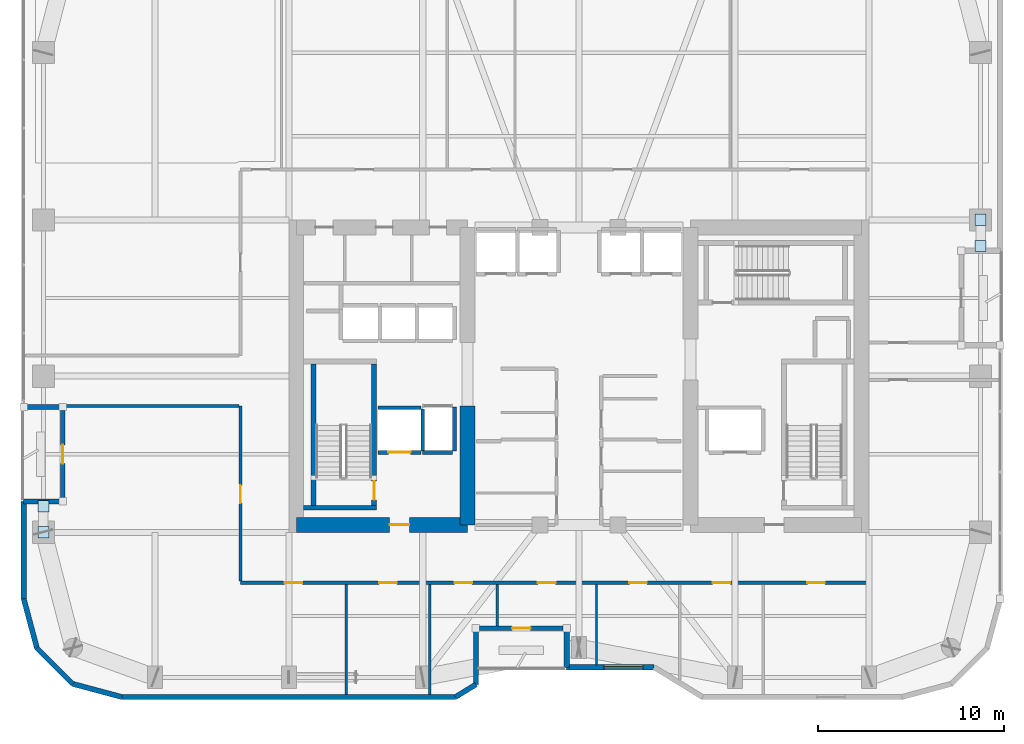
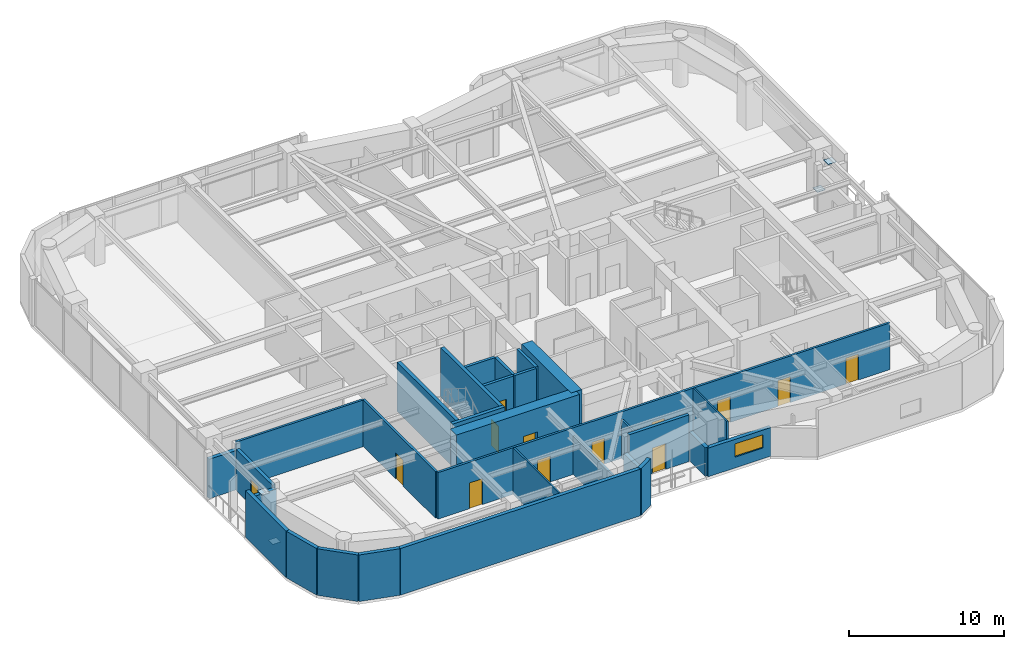
# One storey, part 24 of 30: 30 walls, 13 doors, 4 plates, 1 window, 14 openings.
"""IFC4 building model written with IfcOpenShell, lengths in metres."""

from ifc_helpers import new_model, si_unit, direction, frame, frame_2d, origin, origin_2d, place, context, subcontext, project, spatial, rectangle, extrude, material, layer, layer_set, type_object, element, fill, save


model = new_model("IFC4")

# Units and contexts
model_context = context("Model", 3, precision=1e-05, world=origin(), true_north=direction((0.0, 1.0)))
body_context = subcontext(model_context, "Body", "Model", "MODEL_VIEW")
ifc_project = project(units=[si_unit("LENGTHUNIT", "METRE"), si_unit("AREAUNIT", "SQUARE_METRE"), si_unit("VOLUMEUNIT", "CUBIC_METRE"), si_unit("PLANEANGLEUNIT", "RADIAN"), si_unit("MASSUNIT", "GRAM", prefix="KILO")], contexts=[model_context])

# Site, building, storey
site_placement = place(None, origin())
site = spatial("IfcSite", under=ifc_project, at=site_placement, CompositionType="ELEMENT")
building_placement = place(site_placement, origin())
building = spatial("IfcBuilding", under=site, at=building_placement, Name="Kiyonajd Concourse Tower", CompositionType="ELEMENT")
storey_placement = place(building_placement, frame((0.0, 0.0, 166.199951171875)))
storey = spatial("IfcBuildingStorey", under=building, at=storey_placement, Name="L42", CompositionType="ELEMENT", Elevation=166.199951171875)

# Plates
ifc_material_1 = material(Name="Steel ASTM A572 Grade 50", Category="steel")
ifc_layer_1 = layer(ifc_material_1, 0.028076171875)
ifc_layer_set_1 = layer_set([ifc_layer_1], Name="Steel ASTM A572 Grade 50")
plate_type = type_object("IfcPlateType", Name="PL-CAP-450", PredefinedType="USERDEFINED", material=ifc_layer_set_1)
for number, where, z_axis, x_axis, name in (
    (1, (19.199951171875, 27.595458984375, 0.27587890625), (0.0, 0.0, 1.0), (1.0, 0.0, 0.0), "L42 Hollow Brace End Cap Plate PBW"),
    (2, (19.199951171875, 29.004638671875, 3.326171875), (0.0, 0.0, 1.0), (1.0, 0.0, 0.0), "L42 Hollow Brace Top Cap Plate PBW"),
    (3, (69.60009765625, 44.404541015625, 0.27587890625), (0.0, 0.0, 1.0), (1.0, 0.0, 0.0), "L42 Hollow Brace End Cap Plate PBE"),
    (4, (69.60009765625, 42.995361328125, 3.326171875), (0.0, 0.0, 1.0), (1.0, 0.0, 0.0), "L42 Hollow Brace Top Cap Plate PBE"),
):
    element("IfcPlate", number, at=place(storey_placement, frame(where, z_axis=z_axis, x_axis=x_axis)), inside=storey, type_object=plate_type, Name=name, ObjectType="CAP PLATE", PredefinedType="USERDEFINED", context=body_context, shape_type="SweptSolid", body=[
        extrude(rectangle(XDim=0.60791015625, YDim=0.60791015625, at=origin_2d()), origin(), (0.0, 0.0, 1.0), 0.028076171875),
    ])

# Wall
ifc_material_2 = material(Name="Concrete C70/85", Category="concrete")
ifc_layer_2 = layer(ifc_material_2, 0.800048828125)
ifc_layer_set_2 = layer_set([ifc_layer_2], Name="Concrete C70/85")
wall_type_1 = type_object("IfcWallType", Name="WL-CORE-800", PredefinedType="SHEAR", material=ifc_layer_set_2)
wall_1_placement = place(storey_placement, frame((42.0, 28.0, 0.0), z_axis=(0.0, 0.0, 1.0), x_axis=(0.0, 1.0, 0.0)))
element("IfcWall", 5, at=wall_1_placement, inside=storey, type_object=wall_type_1, Name="L42 West Core Inner South Shear Wall", PredefinedType="SHEAR", context=body_context, shape_type="SweptSolid", body=[
    extrude(rectangle(XDim=6.39990234375, YDim=0.800048828125, at=frame_2d((3.199951171875, 0.0))), origin(), (0.0, 0.0, 1.0), 3.900146484375),
])

# Wall, opening, door
wall_2_placement = place(storey_placement, frame((32.800048828125, 28.0, 0.0), z_axis=(0.0, 0.0, 1.0), x_axis=(1.0, 0.0, 0.0)))
wall_2 = element("IfcWall", 6, at=wall_2_placement, inside=storey, type_object=wall_type_1, Name="L42 West Core South Shear Wall", PredefinedType="SHEAR", context=body_context, shape_type="SweptSolid", body=[
    extrude(rectangle(XDim=9.199951171875, YDim=0.800048828125, at=frame_2d((4.60009765625, 0.0))), origin(), (0.0, 0.0, 1.0), 3.900146484375),
])
opening_1_placement = place(wall_2_placement, frame((5.02490234375, 0.0, 0.0)))
opening_1 = element("IfcOpeningElement", 7, at=opening_1_placement, cuts=wall_2, Name="Opening DF5", PredefinedType="OPENING", context=body_context, shape_type="SweptSolid", body=[
    extrude(rectangle(XDim=1.050048828125, YDim=2.0400390625, at=frame_2d((0.52490234375, 1.02001953125))), frame((0.0, 0.409912109375, 0.0), z_axis=(0.0, -1.0, 0.0), x_axis=(1.0, 0.0, 0.0)), (0.0, 0.0, 1.0), 0.820068359375),
])
ifc_material_3 = material(Name="Brushed Stainless Steel Cab Assembly", Category="steel")
door_type_1 = type_object("IfcDoorType", Name="DR-FD45-1050", OperationType="NOTDEFINED", PredefinedType="DOOR", material=ifc_material_3)
door_1_placement = place(opening_1_placement, origin())
door_1 = element("IfcDoor", 8, at=door_1_placement, inside=storey, type_object=door_type_1, Name="L42 Firefighting Lift Lobby W Smoke Door", OperationType="SINGLE_SWING_LEFT", OverallHeight=2.0400390625, OverallWidth=1.050048828125, PredefinedType="DOOR", context=body_context, shape_type="SweptSolid", body=[
    extrude(rectangle(XDim=1.050048828125, YDim=2.0400390625, at=frame_2d((0.52490234375, 1.02001953125))), frame((0.0, 0.02490234375, 0.0), z_axis=(0.0, -1.0, 0.0), x_axis=(1.0, 0.0, 0.0)), (0.0, 0.0, 1.0), 0.050048828125),
])
fill(opening_1, door_1)

# Walls
ifc_material_4 = material(Name="Precast concrete C50/60", Category="concrete")
ifc_layer_3 = layer(ifc_material_4, 0.280029296875)
ifc_layer_set_3 = layer_set([ifc_layer_3], Name="Precast concrete C50/60")
wall_type_2 = type_object("IfcWallType", Name="WL-EXT-280", PredefinedType="SOLIDWALL", material=ifc_layer_set_3)
wall_3_placement = place(storey_placement, frame((18.848388671875, 21.37255859375, 0.0), z_axis=(0.0, 0.0, 1.0), x_axis=(-0.258672222976, 0.9659651552, 0.0)))
element("IfcWall", 9, at=wall_3_placement, inside=storey, type_object=wall_type_2, Name="L42 Exterior Concrete Frame Wall 00", PredefinedType="SOLIDWALL", context=body_context, shape_type="SweptSolid", body=[
    extrude(rectangle(XDim=2.739013671875, YDim=0.280029296875, at=frame_2d((1.36962890625, 0.0))), origin(), (0.0, 0.0, 1.0), 3.679931640625),
])
wall_4_placement = place(storey_placement, frame((18.139892578125, 24.018310546875, 0.0), z_axis=(0.0, 0.0, 1.0), x_axis=(0.0, 1.0, 0.0)))
element("IfcWall", 10, at=wall_4_placement, inside=storey, type_object=wall_type_2, Name="L42 Exterior Concrete Frame Wall 01", PredefinedType="SOLIDWALL", context=body_context, shape_type="SweptSolid", body=[
    extrude(rectangle(XDim=5.24169921875, YDim=0.280029296875, at=frame_2d((2.620849609375, 0.0))), origin(), (0.0, 0.0, 1.0), 3.679931640625),
])
for number, where, z_axis, x_axis, name in (
    (11, (18.139892578125, 29.260009765625, 0.0), (0.0, 0.0, 1.0), (1.0, 0.0, 0.0), "L42 Exterior Concrete Frame Wall 02"),
    (12, (20.239990234375, 34.340087890625, 0.0), (0.0, 0.0, 1.0), (-1.0, 0.0, 0.0), "L42 Exterior Concrete Frame Wall 04"),
):
    element("IfcWall", number, at=place(storey_placement, frame(where, z_axis=z_axis, x_axis=x_axis)), inside=storey, type_object=wall_type_2, Name=name, PredefinedType="SOLIDWALL", context=body_context, shape_type="SweptSolid", body=[
        extrude(rectangle(XDim=2.10009765625, YDim=0.280029296875, at=frame_2d((1.050048828125, 0.0))), origin(), (0.0, 0.0, 1.0), 3.115966796875),
    ])

# Wall, opening, window
wall_5_placement = place(storey_placement, frame((52.03955078125, 20.340087890625, 0.0), z_axis=(0.0, 0.0, 1.0), x_axis=(-1.0, 0.0, 0.0)))
wall_5 = element("IfcWall", 13, at=wall_5_placement, inside=storey, type_object=wall_type_2, Name="L42 Exterior Concrete Frame Wall 30", PredefinedType="SOLIDWALL", context=body_context, shape_type="SweptSolid", body=[
    extrude(rectangle(XDim=4.699462890625, YDim=0.280029296875, at=frame_2d((2.349609375, 0.0))), origin(), (0.0, 0.0, 1.0), 2.26513671875),
])
opening_2_placement = place(wall_5_placement, frame((0.594970703125, 0.0, 0.85009765625)))
opening_2 = element("IfcOpeningElement", 14, at=opening_2_placement, cuts=wall_5, Name="Opening WN5", PredefinedType="OPENING", context=body_context, shape_type="SweptSolid", body=[
    extrude(rectangle(XDim=2.10009765625, YDim=1.050048828125, at=frame_2d((1.050048828125, 0.52490234375))), frame((0.0, 0.14990234375, 0.0), z_axis=(0.0, -1.0, 0.0), x_axis=(1.0, 0.0, 0.0)), (0.0, 0.0, 1.0), 0.300048828125),
])
ifc_material_5 = material(Name="Double Low-E Insulated Glass", Category="glass")
window_type = type_object("IfcWindowType", Name="WN-VIS-2100x1050", PartitioningType="SINGLE_PANEL", PredefinedType="WINDOW", material=ifc_material_5)
window_placement = place(opening_2_placement, origin())
window = element("IfcWindow", 15, at=window_placement, inside=storey, type_object=window_type, Name="L42 Modular Facade Vision Window 30", OverallHeight=1.050048828125, OverallWidth=2.10009765625, PartitioningType="SINGLE_PANEL", PredefinedType="WINDOW", context=body_context, shape_type="SweptSolid", body=[
    extrude(rectangle(XDim=2.10009765625, YDim=1.050048828125, at=frame_2d((1.050048828125, 0.52490234375))), frame((0.0, 0.030029296875, 0.0), z_axis=(0.0, -1.0, 0.0), x_axis=(1.0, 0.0, 0.0)), (0.0, 0.0, 1.0), 0.06005859375),
])
fill(opening_2, window)

# Walls
wall_6_placement = place(storey_placement, frame((47.340087890625, 20.340087890625, 0.0), z_axis=(0.0, 0.0, 1.0), x_axis=(0.0, 1.0, 0.0)))
element("IfcWall", 16, at=wall_6_placement, inside=storey, type_object=wall_type_2, Name="L42 Exterior Concrete Frame Wall 31", PredefinedType="SOLIDWALL", context=body_context, shape_type="SweptSolid", body=[
    extrude(rectangle(XDim=2.099853515625, YDim=0.280029296875, at=frame_2d((1.0498046875, 0.0))), origin(), (0.0, 0.0, 1.0), 2.26513671875),
])
wall_7_placement = place(storey_placement, frame((42.4599609375, 22.43994140625, 0.0), z_axis=(0.0, 0.0, 1.0), x_axis=(0.0, -1.0, 0.0)))
element("IfcWall", 17, at=wall_7_placement, inside=storey, type_object=wall_type_2, Name="L42 Exterior Concrete Frame Wall 33", PredefinedType="SOLIDWALL", context=body_context, shape_type="SweptSolid", body=[
    extrude(rectangle(XDim=3.023681640625, YDim=0.280029296875, at=frame_2d((1.51171875, 0.0))), origin(), (0.0, 0.0, 1.0), 2.26513671875),
])
wall_8_placement = place(storey_placement, frame((42.4599609375, 19.416259765625, 0.0), z_axis=(0.0, 0.0, 1.0), x_axis=(-0.851801140441, -0.523865266212, 0.0)))
element("IfcWall", 18, at=wall_8_placement, inside=storey, type_object=wall_type_2, Name="L42 Exterior Concrete Frame Wall 34", PredefinedType="SOLIDWALL", context=body_context, shape_type="SweptSolid", body=[
    extrude(rectangle(XDim=1.291015625, YDim=0.280029296875, at=frame_2d((0.6455078125, 0.0))), origin(), (0.0, 0.0, 1.0), 3.679931640625),
])
wall_9_placement = place(storey_placement, frame((41.3603515625, 18.739990234375, 0.0), z_axis=(0.0, 0.0, 1.0), x_axis=(-1.0, 0.0, 0.0)))
element("IfcWall", 19, at=wall_9_placement, inside=storey, type_object=wall_type_2, Name="L42 Exterior Concrete Frame Wall 35", PredefinedType="SOLIDWALL", context=body_context, shape_type="SweptSolid", body=[
    extrude(rectangle(XDim=17.94189453125, YDim=0.280029296875, at=frame_2d((8.970947265625, 0.0))), origin(), (0.0, 0.0, 1.0), 3.679931640625),
])
wall_10_placement = place(storey_placement, frame((23.41845703125, 18.739990234375, 0.0), z_axis=(0.0, 0.0, 1.0), x_axis=(-0.965971118627, 0.258649952598, 0.0)))
element("IfcWall", 20, at=wall_10_placement, inside=storey, type_object=wall_type_2, Name="L42 Exterior Concrete Frame Wall 36", PredefinedType="SOLIDWALL", context=body_context, shape_type="SweptSolid", body=[
    extrude(rectangle(XDim=2.7392578125, YDim=0.280029296875, at=frame_2d((1.36962890625, 0.0))), origin(), (0.0, 0.0, 1.0), 3.679931640625),
])
wall_11_placement = place(storey_placement, frame((20.7724609375, 19.448486328125, 0.0), z_axis=(0.0, 0.0, 1.0), x_axis=(-0.707106781187, 0.707106781187, 0.0)))
element("IfcWall", 21, at=wall_11_placement, inside=storey, type_object=wall_type_2, Name="L42 Exterior Concrete Frame Wall 37", PredefinedType="SOLIDWALL", context=body_context, shape_type="SweptSolid", body=[
    extrude(rectangle(XDim=2.720947265625, YDim=0.280029296875, at=frame_2d((1.3603515625, 0.0))), origin(), (0.0, 0.0, 1.0), 3.679931640625),
])

# Wall, opening, door
ifc_layer_4 = layer(ifc_material_4, 0.239990234375)
ifc_layer_set_4 = layer_set([ifc_layer_4], Name="Precast concrete C50/60")
wall_type_3 = type_object("IfcWallType", Name="WL-LOG-240", PredefinedType="SOLIDWALL", material=ifc_layer_set_4)
wall_12_placement = place(storey_placement, frame((20.239990234375, 29.455078125, 0.0), z_axis=(0.0, 0.0, 1.0), x_axis=(0.0, 1.0, 0.0)))
wall_12 = element("IfcWall", 22, at=wall_12_placement, inside=storey, type_object=wall_type_3, Name="L42 Recessed Loggia Thermal Wall LOG-W", PredefinedType="SOLIDWALL", context=body_context, shape_type="SweptSolid", body=[
    extrude(rectangle(XDim=4.68994140625, YDim=0.239990234375, at=frame_2d((2.344970703125, 0.0))), origin(), (0.0, 0.0, 1.0), 3.248046875),
])
opening_3_placement = place(wall_12_placement, frame((1.844970703125, 0.0, 0.0)))
opening_3 = element("IfcOpeningElement", 23, at=opening_3_placement, cuts=wall_12, Name="Opening DL1", PredefinedType="OPENING", context=body_context, shape_type="SweptSolid", body=[
    extrude(rectangle(XDim=1.0, YDim=2.02001953125, at=frame_2d((0.5, 1.010009765625))), frame((0.0, 0.1298828125, 0.0), z_axis=(0.0, -1.0, 0.0), x_axis=(1.0, 0.0, 0.0)), (0.0, 0.0, 1.0), 0.260009765625),
])
ifc_material_6 = material(Name="Thermally Broken Anodised Aluminium", Category="aluminium")
door_type_2 = type_object("IfcDoorType", Name="DR-LOG-1000", OperationType="NOTDEFINED", PredefinedType="DOOR", material=ifc_material_6)
door_2_placement = place(opening_3_placement, origin())
door_2 = element("IfcDoor", 24, at=door_2_placement, inside=storey, type_object=door_type_2, Name="L42 Engawa Loggia Access Door LOG-W", OperationType="SINGLE_SWING_LEFT", OverallHeight=2.02001953125, OverallWidth=1.0, PredefinedType="DOOR", context=body_context, shape_type="SweptSolid", body=[
    extrude(rectangle(XDim=1.0, YDim=2.02001953125, at=frame_2d((0.5, 1.010009765625))), frame((0.0, 0.02490234375, 0.0), z_axis=(0.0, -1.0, 0.0), x_axis=(1.0, 0.0, 0.0)), (0.0, 0.0, 1.0), 0.050048828125),
])
fill(opening_3, door_2)

wall_13_placement = place(storey_placement, frame((47.14501953125, 22.43994140625, 0.0), z_axis=(0.0, 0.0, 1.0), x_axis=(-1.0, 0.0, 0.0)))
wall_13 = element("IfcWall", 25, at=wall_13_placement, inside=storey, type_object=wall_type_3, Name="L42 Recessed Loggia Thermal Wall LOG-S", PredefinedType="SOLIDWALL", context=body_context, shape_type="SweptSolid", body=[
    extrude(rectangle(XDim=4.489990234375, YDim=0.239990234375, at=frame_2d((2.2451171875, 0.0))), origin(), (0.0, 0.0, 1.0), 3.679931640625),
])
opening_4_placement = place(wall_13_placement, frame((1.7451171875, 0.0, 0.0)))
opening_4 = element("IfcOpeningElement", 26, at=opening_4_placement, cuts=wall_13, Name="Opening DL1", PredefinedType="OPENING", context=body_context, shape_type="SweptSolid", body=[
    extrude(rectangle(XDim=1.0, YDim=2.02001953125, at=frame_2d((0.5, 1.010009765625))), frame((0.0, 0.1298828125, 0.0), z_axis=(0.0, -1.0, 0.0), x_axis=(1.0, 0.0, 0.0)), (0.0, 0.0, 1.0), 0.260009765625),
])
door_3_placement = place(opening_4_placement, origin())
door_3 = element("IfcDoor", 27, at=door_3_placement, inside=storey, type_object=door_type_2, Name="L42 Engawa Loggia Access Door LOG-S", OperationType="SINGLE_SWING_RIGHT", OverallHeight=2.02001953125, OverallWidth=1.0, PredefinedType="DOOR", context=body_context, shape_type="SweptSolid", body=[
    extrude(rectangle(XDim=1.0, YDim=2.02001953125, at=frame_2d((0.5, 1.010009765625))), frame((0.0, 0.02490234375, 0.0), z_axis=(0.0, -1.0, 0.0), x_axis=(1.0, 0.0, 0.0)), (0.0, 0.0, 1.0), 0.050048828125),
])
fill(opening_4, door_3)

# Walls
ifc_material_7 = material(Name="Gypsum Board on Cold-Formed Steel Stud", Category="steel")
ifc_layer_5 = layer(ifc_material_7, 0.125)
ifc_layer_set_5 = layer_set([ifc_layer_5], Name="Gypsum Board on Cold-Formed Steel Stud")
wall_type_4 = type_object("IfcWallType", Name="WL-PART-125", PredefinedType="PARTITIONING", material=ifc_layer_set_5)
wall_14_placement = place(storey_placement, frame((35.489990234375, 18.875, 0.0), z_axis=(0.0, 0.0, 1.0), x_axis=(0.0, 1.0, 0.0)))
element("IfcWall", 28, at=wall_14_placement, inside=storey, type_object=wall_type_4, Name="L42 Interior Partition Wall", PredefinedType="PARTITIONING", context=body_context, shape_type="SweptSolid", body=[
    extrude(rectangle(XDim=5.927978515625, YDim=0.125, at=frame_2d((2.9638671875, 0.0))), origin(), (0.0, 0.0, 1.0), 3.679931640625),
])
wall_15_placement = place(storey_placement, frame((39.969970703125, 18.875, 0.0), z_axis=(0.0, 0.0, 1.0), x_axis=(0.0, 1.0, 0.0)))
element("IfcWall", 29, at=wall_15_placement, inside=storey, type_object=wall_type_4, Name="L42 Interior Partition Wall", PredefinedType="PARTITIONING", context=body_context, shape_type="SweptSolid", body=[
    extrude(rectangle(XDim=5.927978515625, YDim=0.125, at=frame_2d((2.9638671875, 0.0))), origin(), (0.0, 0.0, 1.0), 3.04296875),
])
wall_16_placement = place(storey_placement, frame((43.60009765625, 22.554931640625, 0.0), z_axis=(0.0, 0.0, 1.0), x_axis=(0.0, 1.0, 0.0)))
element("IfcWall", 30, at=wall_16_placement, inside=storey, type_object=wall_type_4, Name="L42 Interior Partition Wall", PredefinedType="PARTITIONING", context=body_context, shape_type="SweptSolid", body=[
    extrude(rectangle(XDim=2.248046875, YDim=0.125, at=frame_2d((1.1240234375, 0.0))), origin(), (0.0, 0.0, 1.0), 3.04296875),
])
wall_17_placement = place(storey_placement, frame((48.93994140625, 20.47509765625, 0.0), z_axis=(0.0, 0.0, 1.0), x_axis=(0.0, 1.0, 0.0)))
element("IfcWall", 31, at=wall_17_placement, inside=storey, type_object=wall_type_4, Name="L42 Interior Partition Wall", PredefinedType="PARTITIONING", context=body_context, shape_type="SweptSolid", body=[
    extrude(rectangle(XDim=4.327880859375, YDim=0.125, at=frame_2d((2.1640625, 0.0))), origin(), (0.0, 0.0, 1.0), 3.679931640625),
])

# Wall, opening, door
ifc_layer_6 = layer(ifc_material_7, 0.2099609375)
ifc_layer_set_6 = layer_set([ifc_layer_6], Name="Gypsum Board on Cold-Formed Steel Stud")
wall_type_5 = type_object("IfcWallType", Name="WL-SHAFT-210", PredefinedType="PARTITIONING", material=ifc_layer_set_6)
wall_18_placement = place(storey_placement, frame((37.199951171875, 31.89990234375, 0.0), z_axis=(0.0, 0.0, 1.0), x_axis=(1.0, 0.0, 0.0)))
wall_18 = element("IfcWall", 32, at=wall_18_placement, inside=storey, type_object=wall_type_5, Name="L42 Shaft Enclosure Wall", PredefinedType="PARTITIONING", context=body_context, shape_type="SweptSolid", body=[
    extrude(rectangle(XDim=2.300048828125, YDim=0.2099609375, at=frame_2d((1.14990234375, 0.0))), origin(), (0.0, 0.0, 1.0), 3.679931640625),
])
opening_5_placement = place(wall_18_placement, frame((0.550048828125, 0.0, 0.0)))
opening_5 = element("IfcOpeningElement", 33, at=opening_5_placement, cuts=wall_18, Name="Opening LD2", PredefinedType="OPENING", context=body_context, shape_type="SweptSolid", body=[
    extrude(rectangle(XDim=1.199951171875, YDim=2.0400390625, at=frame_2d((0.60009765625, 1.02001953125))), frame((0.0, 0.114990234375, 0.0), z_axis=(0.0, -1.0, 0.0), x_axis=(1.0, 0.0, 0.0)), (0.0, 0.0, 1.0), 0.22998046875),
])
door_type_3 = type_object("IfcDoorType", Name="DR-LD-1200", OperationType="DOUBLE_DOOR_SLIDING", PredefinedType="DOOR", material=ifc_material_3)
door_4_placement = place(opening_5_placement, origin())
door_4 = element("IfcDoor", 34, at=door_4_placement, inside=storey, type_object=door_type_3, Name="L42 Lift FFL1 Sliding Landing Door", OperationType="DOUBLE_DOOR_SLIDING", OverallHeight=2.0400390625, OverallWidth=1.199951171875, PredefinedType="DOOR", context=body_context, shape_type="SweptSolid", body=[
    extrude(rectangle(XDim=1.199951171875, YDim=2.0400390625, at=frame_2d((0.60009765625, 1.02001953125))), frame((0.0, 0.02490234375, 0.0), z_axis=(0.0, -1.0, 0.0), x_axis=(1.0, 0.0, 0.0)), (0.0, 0.0, 1.0), 0.050048828125),
])
fill(opening_5, door_4)

# Walls
wall_19_placement = place(storey_placement, frame((37.199951171875, 34.300048828125, 0.0), z_axis=(0.0, 0.0, 1.0), x_axis=(1.0, 0.0, 0.0)))
element("IfcWall", 35, at=wall_19_placement, inside=storey, type_object=wall_type_5, Name="L42 Shaft Enclosure Wall", PredefinedType="PARTITIONING", context=body_context, shape_type="SweptSolid", body=[
    extrude(rectangle(XDim=2.300048828125, YDim=0.2099609375, at=frame_2d((1.14990234375, 0.0))), origin(), (0.0, 0.0, 1.0), 3.679931640625),
])
wall_20_placement = place(storey_placement, frame((39.60009765625, 31.9599609375, 0.0), z_axis=(0.0, 0.0, 1.0), x_axis=(0.0, 1.0, 0.0)))
element("IfcWall", 36, at=wall_20_placement, inside=storey, type_object=wall_type_5, Name="L42 Shaft Enclosure Wall", PredefinedType="PARTITIONING", context=body_context, shape_type="SweptSolid", body=[
    extrude(rectangle(XDim=2.280029296875, YDim=0.2099609375, at=frame_2d((1.14013671875, 0.0))), origin(), (0.0, 0.0, 1.0), 3.679931640625),
])
wall_21_placement = place(storey_placement, frame((39.60009765625, 31.89990234375, 0.0), z_axis=(0.0, 0.0, 1.0), x_axis=(1.0, 0.0, 0.0)))
element("IfcWall", 37, at=wall_21_placement, inside=storey, type_object=wall_type_5, Name="L42 Shaft Enclosure Wall", PredefinedType="PARTITIONING", context=body_context, shape_type="SweptSolid", body=[
    extrude(rectangle(XDim=1.599853515625, YDim=0.2099609375, at=frame_2d((0.7998046875, 0.0))), origin(), (0.0, 0.0, 1.0), 3.679931640625),
])
wall_22_placement = place(storey_placement, frame((41.300048828125, 31.9599609375, 0.0), z_axis=(0.0, 0.0, 1.0), x_axis=(0.0, 1.0, 0.0)))
element("IfcWall", 38, at=wall_22_placement, inside=storey, type_object=wall_type_5, Name="L42 Shaft Enclosure Wall", PredefinedType="PARTITIONING", context=body_context, shape_type="SweptSolid", body=[
    extrude(rectangle(XDim=2.380126953125, YDim=0.2099609375, at=frame_2d((1.18994140625, 0.0))), origin(), (0.0, 0.0, 1.0), 3.679931640625),
])

# Wall, openings, doors
ifc_layer_7 = layer(ifc_material_7, 0.169921875)
ifc_layer_set_7 = layer_set([ifc_layer_7], Name="Gypsum Board on Cold-Formed Steel Stud")
wall_type_6 = type_object("IfcWallType", Name="WL-SMK-170", PredefinedType="PARTITIONING", material=ifc_layer_set_7)
wall_23_placement = place(storey_placement, frame((29.800048828125, 24.889892578125, 0.0), z_axis=(0.0, 0.0, 1.0), x_axis=(1.0, 0.0, 0.0)))
wall_23 = element("IfcWall", 39, at=wall_23_placement, inside=storey, type_object=wall_type_6, Name="L42 Interior Partition Wall", PredefinedType="PARTITIONING", context=body_context, shape_type="SweptSolid", body=[
    extrude(rectangle(XDim=33.800048828125, YDim=0.169921875, at=frame_2d((16.89990234375, 0.0))), origin(), (0.0, 0.0, 1.0), 3.679931640625),
])
opening_6_placement = place(wall_23_placement, frame((2.3701171875, 0.0, 0.0)))
opening_6 = element("IfcOpeningElement", 40, at=opening_6_placement, cuts=wall_23, Name="Opening DI1", PredefinedType="OPENING", context=body_context, shape_type="SweptSolid", body=[
    extrude(rectangle(XDim=0.949951171875, YDim=2.0400390625, at=frame_2d((0.47509765625, 1.02001953125))), frame((0.0, 0.094970703125, 0.0), z_axis=(0.0, -1.0, 0.0), x_axis=(1.0, 0.0, 0.0)), (0.0, 0.0, 1.0), 0.18994140625),
])
opening_7_placement = place(wall_23_placement, frame((7.455078125, 0.0, 0.0)))
opening_7 = element("IfcOpeningElement", 41, at=opening_7_placement, cuts=wall_23, Name="Opening DI1", PredefinedType="OPENING", context=body_context, shape_type="SweptSolid", body=[
    extrude(rectangle(XDim=0.949951171875, YDim=2.0400390625, at=frame_2d((0.47509765625, 1.02001953125))), frame((0.0, 0.094970703125, 0.0), z_axis=(0.0, -1.0, 0.0), x_axis=(1.0, 0.0, 0.0)), (0.0, 0.0, 1.0), 0.18994140625),
])
opening_8_placement = place(wall_23_placement, frame((11.510009765625, 0.0, 0.0)))
opening_8 = element("IfcOpeningElement", 42, at=opening_8_placement, cuts=wall_23, Name="Opening DI1", PredefinedType="OPENING", context=body_context, shape_type="SweptSolid", body=[
    extrude(rectangle(XDim=0.949951171875, YDim=2.0400390625, at=frame_2d((0.47509765625, 1.02001953125))), frame((0.0, 0.094970703125, 0.0), z_axis=(0.0, -1.0, 0.0), x_axis=(1.0, 0.0, 0.0)), (0.0, 0.0, 1.0), 0.18994140625),
])
opening_9_placement = place(wall_23_placement, frame((15.9951171875, 0.0, 0.0)))
opening_9 = element("IfcOpeningElement", 43, at=opening_9_placement, cuts=wall_23, Name="Opening DI1", PredefinedType="OPENING", context=body_context, shape_type="SweptSolid", body=[
    extrude(rectangle(XDim=0.949951171875, YDim=2.0400390625, at=frame_2d((0.47509765625, 1.02001953125))), frame((0.0, 0.094970703125, 0.0), z_axis=(0.0, -1.0, 0.0), x_axis=(1.0, 0.0, 0.0)), (0.0, 0.0, 1.0), 0.18994140625),
])
opening_10_placement = place(wall_23_placement, frame((20.909912109375, 0.0, 0.0)))
opening_10 = element("IfcOpeningElement", 44, at=opening_10_placement, cuts=wall_23, Name="Opening DI1", PredefinedType="OPENING", context=body_context, shape_type="SweptSolid", body=[
    extrude(rectangle(XDim=0.949951171875, YDim=2.0400390625, at=frame_2d((0.47509765625, 1.02001953125))), frame((0.0, 0.094970703125, 0.0), z_axis=(0.0, -1.0, 0.0), x_axis=(1.0, 0.0, 0.0)), (0.0, 0.0, 1.0), 0.18994140625),
])
opening_11_placement = place(wall_23_placement, frame((25.39501953125, 0.0, 0.0)))
opening_11 = element("IfcOpeningElement", 45, at=opening_11_placement, cuts=wall_23, Name="Opening DI1", PredefinedType="OPENING", context=body_context, shape_type="SweptSolid", body=[
    extrude(rectangle(XDim=0.949951171875, YDim=2.0400390625, at=frame_2d((0.47509765625, 1.02001953125))), frame((0.0, 0.094970703125, 0.0), z_axis=(0.0, -1.0, 0.0), x_axis=(1.0, 0.0, 0.0)), (0.0, 0.0, 1.0), 0.18994140625),
])
opening_12_placement = place(wall_23_placement, frame((30.47998046875, 0.0, 0.0)))
opening_12 = element("IfcOpeningElement", 46, at=opening_12_placement, cuts=wall_23, Name="Opening DI1", PredefinedType="OPENING", context=body_context, shape_type="SweptSolid", body=[
    extrude(rectangle(XDim=0.949951171875, YDim=2.0400390625, at=frame_2d((0.47509765625, 1.02001953125))), frame((0.0, 0.094970703125, 0.0), z_axis=(0.0, -1.0, 0.0), x_axis=(1.0, 0.0, 0.0)), (0.0, 0.0, 1.0), 0.18994140625),
])
ifc_material_8 = material(Name="Natural Oak Acoustic Timber Veneer", Category="wood")
door_type_4 = type_object("IfcDoorType", Name="DR-INT-950", OperationType="NOTDEFINED", PredefinedType="DOOR", material=ifc_material_8)
door_5_placement = place(opening_6_placement, origin())
door_5 = element("IfcDoor", 47, at=door_5_placement, inside=storey, type_object=door_type_4, Name="L42 Interior Door", OperationType="SINGLE_SWING_LEFT", OverallHeight=2.0400390625, OverallWidth=0.949951171875, PredefinedType="DOOR", context=body_context, shape_type="SweptSolid", body=[
    extrude(rectangle(XDim=0.949951171875, YDim=2.0400390625, at=frame_2d((0.47509765625, 1.02001953125))), frame((0.0, 0.02490234375, 0.0), z_axis=(0.0, -1.0, 0.0), x_axis=(1.0, 0.0, 0.0)), (0.0, 0.0, 1.0), 0.050048828125),
])
fill(opening_6, door_5)
door_6_placement = place(opening_7_placement, origin())
door_6 = element("IfcDoor", 48, at=door_6_placement, inside=storey, type_object=door_type_4, Name="L42 Interior Door", OperationType="SINGLE_SWING_RIGHT", OverallHeight=2.0400390625, OverallWidth=0.949951171875, PredefinedType="DOOR", context=body_context, shape_type="SweptSolid", body=[
    extrude(rectangle(XDim=0.949951171875, YDim=2.0400390625, at=frame_2d((0.47509765625, 1.02001953125))), frame((0.0, 0.02490234375, 0.0), z_axis=(0.0, -1.0, 0.0), x_axis=(1.0, 0.0, 0.0)), (0.0, 0.0, 1.0), 0.050048828125),
])
fill(opening_7, door_6)
door_7_placement = place(opening_8_placement, origin())
door_7 = element("IfcDoor", 49, at=door_7_placement, inside=storey, type_object=door_type_4, Name="L42 Interior Door", OperationType="SINGLE_SWING_LEFT", OverallHeight=2.0400390625, OverallWidth=0.949951171875, PredefinedType="DOOR", context=body_context, shape_type="SweptSolid", body=[
    extrude(rectangle(XDim=0.949951171875, YDim=2.0400390625, at=frame_2d((0.47509765625, 1.02001953125))), frame((0.0, 0.02490234375, 0.0), z_axis=(0.0, -1.0, 0.0), x_axis=(1.0, 0.0, 0.0)), (0.0, 0.0, 1.0), 0.050048828125),
])
fill(opening_8, door_7)
door_8_placement = place(opening_9_placement, origin())
door_8 = element("IfcDoor", 50, at=door_8_placement, inside=storey, type_object=door_type_4, Name="L42 Interior Door", OperationType="SINGLE_SWING_RIGHT", OverallHeight=2.0400390625, OverallWidth=0.949951171875, PredefinedType="DOOR", context=body_context, shape_type="SweptSolid", body=[
    extrude(rectangle(XDim=0.949951171875, YDim=2.0400390625, at=frame_2d((0.47509765625, 1.02001953125))), frame((0.0, 0.02490234375, 0.0), z_axis=(0.0, -1.0, 0.0), x_axis=(1.0, 0.0, 0.0)), (0.0, 0.0, 1.0), 0.050048828125),
])
fill(opening_9, door_8)
door_9_placement = place(opening_10_placement, origin())
door_9 = element("IfcDoor", 51, at=door_9_placement, inside=storey, type_object=door_type_4, Name="L42 Interior Door", OperationType="SINGLE_SWING_LEFT", OverallHeight=2.0400390625, OverallWidth=0.949951171875, PredefinedType="DOOR", context=body_context, shape_type="SweptSolid", body=[
    extrude(rectangle(XDim=0.949951171875, YDim=2.0400390625, at=frame_2d((0.47509765625, 1.02001953125))), frame((0.0, 0.02490234375, 0.0), z_axis=(0.0, -1.0, 0.0), x_axis=(1.0, 0.0, 0.0)), (0.0, 0.0, 1.0), 0.050048828125),
])
fill(opening_10, door_9)
door_10_placement = place(opening_11_placement, origin())
door_10 = element("IfcDoor", 52, at=door_10_placement, inside=storey, type_object=door_type_4, Name="L42 Interior Door", OperationType="SINGLE_SWING_RIGHT", OverallHeight=2.0400390625, OverallWidth=0.949951171875, PredefinedType="DOOR", context=body_context, shape_type="SweptSolid", body=[
    extrude(rectangle(XDim=0.949951171875, YDim=2.0400390625, at=frame_2d((0.47509765625, 1.02001953125))), frame((0.0, 0.02490234375, 0.0), z_axis=(0.0, -1.0, 0.0), x_axis=(1.0, 0.0, 0.0)), (0.0, 0.0, 1.0), 0.050048828125),
])
fill(opening_11, door_10)
door_11_placement = place(opening_12_placement, origin())
door_11 = element("IfcDoor", 53, at=door_11_placement, inside=storey, type_object=door_type_4, Name="L42 Interior Door", OperationType="SINGLE_SWING_LEFT", OverallHeight=2.0400390625, OverallWidth=0.949951171875, PredefinedType="DOOR", context=body_context, shape_type="SweptSolid", body=[
    extrude(rectangle(XDim=0.949951171875, YDim=2.0400390625, at=frame_2d((0.47509765625, 1.02001953125))), frame((0.0, 0.02490234375, 0.0), z_axis=(0.0, -1.0, 0.0), x_axis=(1.0, 0.0, 0.0)), (0.0, 0.0, 1.0), 0.050048828125),
])
fill(opening_12, door_11)

# Wall, opening, door
wall_24_placement = place(storey_placement, frame((29.800048828125, 24.97705078125, 0.0), z_axis=(0.0, 0.0, 1.0), x_axis=(0.0, 1.0, 0.0)))
wall_24 = element("IfcWall", 54, at=wall_24_placement, inside=storey, type_object=wall_type_6, Name="L42 Interior Partition Wall", PredefinedType="PARTITIONING", context=body_context, shape_type="SweptSolid", body=[
    extrude(rectangle(XDim=9.4228515625, YDim=0.169921875, at=frame_2d((4.71142578125, 0.0))), origin(), (0.0, 0.0, 1.0), 3.679931640625),
])
opening_13_placement = place(wall_24_placement, frame((4.193115234375, 0.0, 0.0)))
opening_13 = element("IfcOpeningElement", 55, at=opening_13_placement, cuts=wall_24, Name="Opening DI1", PredefinedType="OPENING", context=body_context, shape_type="SweptSolid", body=[
    extrude(rectangle(XDim=0.949951171875, YDim=2.0400390625, at=frame_2d((0.47509765625, 1.02001953125))), frame((0.0, 0.094970703125, 0.0), z_axis=(0.0, -1.0, 0.0), x_axis=(1.0, 0.0, 0.0)), (0.0, 0.0, 1.0), 0.18994140625),
])
door_12_placement = place(opening_13_placement, origin())
door_12 = element("IfcDoor", 56, at=door_12_placement, inside=storey, type_object=door_type_4, Name="L42 Interior Door", OperationType="SINGLE_SWING_LEFT", OverallHeight=2.0400390625, OverallWidth=0.949951171875, PredefinedType="DOOR", context=body_context, shape_type="SweptSolid", body=[
    extrude(rectangle(XDim=0.949951171875, YDim=2.0400390625, at=frame_2d((0.47509765625, 1.02001953125))), frame((0.0, 0.02490234375, 0.0), z_axis=(0.0, -1.0, 0.0), x_axis=(1.0, 0.0, 0.0)), (0.0, 0.0, 1.0), 0.050048828125),
])
fill(opening_13, door_12)

# Walls
wall_25_placement = place(storey_placement, frame((20.239990234375, 34.39990234375, 0.0), z_axis=(0.0, 0.0, 1.0), x_axis=(1.0, 0.0, 0.0)))
element("IfcWall", 57, at=wall_25_placement, inside=storey, type_object=wall_type_6, Name="L42 Interior Partition Wall", PredefinedType="PARTITIONING", context=body_context, shape_type="SweptSolid", body=[
    extrude(rectangle(XDim=9.472900390625, YDim=0.169921875, at=frame_2d((4.736328125, 0.0))), origin(), (0.0, 0.0, 1.0), 3.679931640625),
])
ifc_material_9 = material(Name="Concrete C50/60", Category="concrete")
ifc_layer_8 = layer(ifc_material_9, 0.260009765625)
ifc_layer_set_8 = layer_set([ifc_layer_8], Name="Concrete C50/60")
wall_type_7 = type_object("IfcWallType", Name="WL-STAIR-260", PredefinedType="SHEAR", material=ifc_layer_set_8)
wall_26_placement = place(storey_placement, frame((33.199951171875, 28.919921875, 0.0), z_axis=(0.0, 0.0, 1.0), x_axis=(1.0, 0.0, 0.0)))
element("IfcWall", 58, at=wall_26_placement, inside=storey, type_object=wall_type_7, Name="L42 Stair ST1 Structural South Wall", PredefinedType="SHEAR", context=body_context, shape_type="SweptSolid", body=[
    extrude(rectangle(XDim=3.91015625, YDim=0.260009765625, at=frame_2d((1.955078125, 0.0))), origin(), (0.0, 0.0, 1.0), 3.900146484375),
])
wall_27_placement = place(storey_placement, frame((33.719970703125, 29.050048828125, 0.0), z_axis=(0.0, 0.0, 1.0), x_axis=(0.0, 1.0, 0.0)))
element("IfcWall", 59, at=wall_27_placement, inside=storey, type_object=wall_type_7, Name="L42 Stair ST1 Structural West Wall", PredefinedType="SHEAR", context=body_context, shape_type="SweptSolid", body=[
    extrude(rectangle(XDim=7.599853515625, YDim=0.260009765625, at=frame_2d((3.7998046875, 0.0))), origin(), (0.0, 0.0, 1.0), 3.900146484375),
])

# Wall, opening, door
wall_28_placement = place(storey_placement, frame((36.97998046875, 29.050048828125, 0.0), z_axis=(0.0, 0.0, 1.0), x_axis=(0.0, 1.0, 0.0)))
wall_28 = element("IfcWall", 60, at=wall_28_placement, inside=storey, type_object=wall_type_7, Name="L42 Stair ST1 Structural East Wall", PredefinedType="SHEAR", context=body_context, shape_type="SweptSolid", body=[
    extrude(rectangle(XDim=7.599853515625, YDim=0.260009765625, at=frame_2d((3.7998046875, 0.0))), origin(), (0.0, 0.0, 1.0), 3.900146484375),
])
opening_14_placement = place(wall_28_placement, frame((0.300048828125, 0.0, 0.0)))
opening_14 = element("IfcOpeningElement", 61, at=opening_14_placement, cuts=wall_28, Name="Opening DF1", PredefinedType="OPENING", context=body_context, shape_type="SweptSolid", body=[
    extrude(rectangle(XDim=1.0, YDim=2.0400390625, at=frame_2d((0.5, 1.02001953125))), frame((0.0, 0.139892578125, 0.0), z_axis=(0.0, -1.0, 0.0), x_axis=(1.0, 0.0, 0.0)), (0.0, 0.0, 1.0), 0.280029296875),
])
door_type_5 = type_object("IfcDoorType", Name="DR-FD90-1000", OperationType="NOTDEFINED", PredefinedType="DOOR", material=ifc_material_3)
door_13_placement = place(opening_14_placement, origin())
door_13 = element("IfcDoor", 62, at=door_13_placement, inside=storey, type_object=door_type_5, Name="L42 Stair ST1 FSAE Door", OperationType="SINGLE_SWING_LEFT", OverallHeight=2.0400390625, OverallWidth=1.0, PredefinedType="DOOR", context=body_context, shape_type="SweptSolid", body=[
    extrude(rectangle(XDim=1.0, YDim=2.0400390625, at=frame_2d((0.5, 1.02001953125))), frame((0.0, 0.02490234375, 0.0), z_axis=(0.0, -1.0, 0.0), x_axis=(1.0, 0.0, 0.0)), (0.0, 0.0, 1.0), 0.050048828125),
])
fill(opening_14, door_13)

save(model, "model.ifc")
